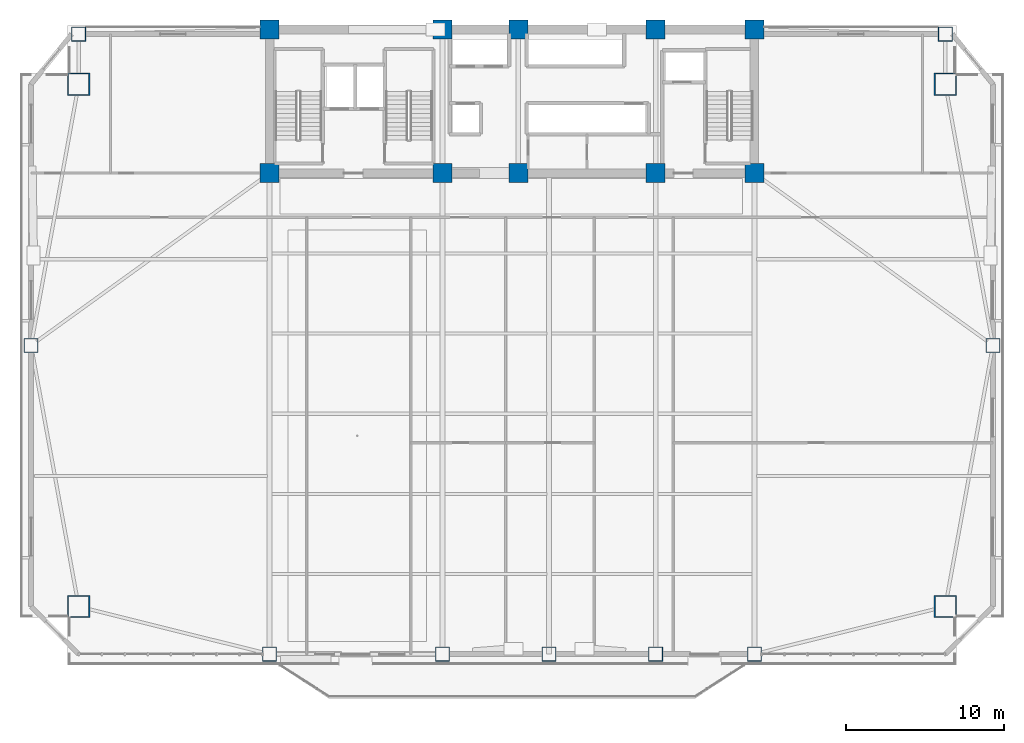
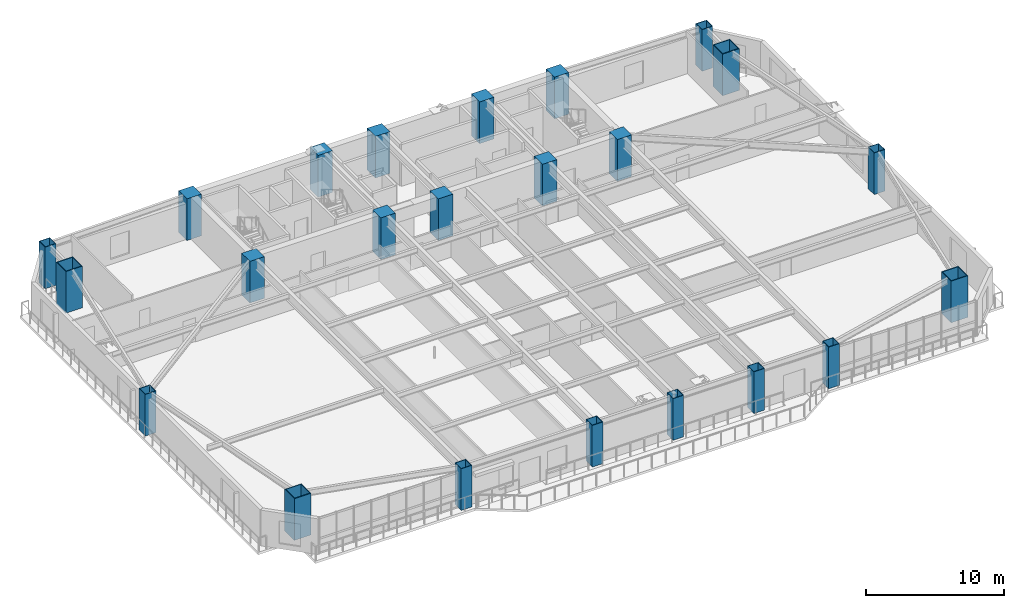
# One storey, part 1 of 15: 23 columns.
"""IFC4 building model written with IfcOpenShell, lengths in metres."""

from ifc_helpers import new_model, si_unit, direction, frame, origin, origin_2d, place, context, subcontext, project, spatial, rectangle, hollow_rectangle, extrude, source, transform, mapped, material, material_profile, profile_set, type_object, element, save


model = new_model("IFC4")

# Units and contexts
model_context = context("Model", 3, precision=1e-05, world=origin(), true_north=direction((0.0, 1.0)))
body_context = subcontext(model_context, "Body", "Model", "MODEL_VIEW")
ifc_project = project(units=[si_unit("LENGTHUNIT", "METRE"), si_unit("AREAUNIT", "SQUARE_METRE"), si_unit("VOLUMEUNIT", "CUBIC_METRE"), si_unit("PLANEANGLEUNIT", "RADIAN"), si_unit("MASSUNIT", "GRAM", prefix="KILO")], contexts=[model_context])

# Site, building, storey
site_placement = place(None, origin())
site = spatial("IfcSite", under=ifc_project, at=site_placement, CompositionType="ELEMENT")
building_placement = place(site_placement, origin())
building = spatial("IfcBuilding", under=site, at=building_placement, Name="Giltprow Tower", CompositionType="ELEMENT")
storey_placement = place(building_placement, frame((0.0, 0.0, 115.300048828125)))
storey = spatial("IfcBuildingStorey", under=building, at=storey_placement, Name="L28", CompositionType="ELEMENT", Elevation=115.300048828125)

# Columns
ifc_material_1 = material(Name="Concrete C60", Category="concrete")
ifc_material_profile_1 = material_profile(ifc_material_1, rectangle(XDim=1.199951171875, YDim=1.199951171875, at=origin_2d()), Name="RC 1200x1200")
ifc_profile_set_1 = profile_set([ifc_material_profile_1], Name="Concrete C60")
column_type_1 = type_object("IfcColumnType", Name="PIL-RC-1200-C60", PredefinedType="PILASTER", material=ifc_profile_set_1)
shared_shape_1 = source(origin(), body_context, "Body", "SweptSolid", [
    extrude(rectangle(XDim=1.199951171875, YDim=1.199951171875, at=origin_2d()), origin(), (0.0, 0.0, 1.0), 3.679931640625),
])
for number, where, z_axis, x_axis, name in (
    (1, (19.85009765625, 37.449951171875, 0.0), (0.0, 0.0, 1.0), (1.0, 0.0, 0.0), "L28 Core Boundary Pilaster 1-1"),
    (2, (19.85009765625, 46.550048828125, 0.0), (0.0, 0.0, 1.0), (1.0, 0.0, 0.0), "L28 Core Boundary Pilaster 1-2"),
    (3, (30.800048828125, 37.449951171875, 0.0), (0.0, 0.0, 1.0), (1.0, 0.0, 0.0), "L28 Core Boundary Pilaster 2-1"),
    (4, (30.800048828125, 46.550048828125, 0.0), (0.0, 0.0, 1.0), (1.0, 0.0, 0.0), "L28 Core Boundary Pilaster 2-2"),
    (5, (35.60009765625, 37.449951171875, 0.0), (0.0, 0.0, 1.0), (1.0, 0.0, 0.0), "L28 Core Boundary Pilaster 3-1"),
    (6, (35.60009765625, 46.550048828125, 0.0), (0.0, 0.0, 1.0), (1.0, 0.0, 0.0), "L28 Core Boundary Pilaster 3-2"),
    (7, (44.300048828125, 37.449951171875, 0.0), (0.0, 0.0, 1.0), (1.0, 0.0, 0.0), "L28 Core Boundary Pilaster 4-1"),
    (8, (44.300048828125, 46.550048828125, 0.0), (0.0, 0.0, 1.0), (1.0, 0.0, 0.0), "L28 Core Boundary Pilaster 4-2"),
    (9, (50.550048828125, 37.449951171875, 0.0), (0.0, 0.0, 1.0), (1.0, 0.0, 0.0), "L28 Core Boundary Pilaster 5-1"),
    (10, (50.550048828125, 46.550048828125, 0.0), (0.0, 0.0, 1.0), (1.0, 0.0, 0.0), "L28 Core Boundary Pilaster 5-2"),
):
    element("IfcColumn", number, at=place(storey_placement, frame(where, z_axis=z_axis, x_axis=x_axis)), inside=storey, type_object=column_type_1, Name=name, PredefinedType="PILASTER", context=body_context, shape_type="MappedRepresentation", body=[
        mapped(shared_shape_1, transform((0.0, 0.0, 0.0), x_axis=(1.0, 0.0, 0.0), y_axis=(0.0, 1.0, 0.0), z_axis=(0.0, 0.0, 1.0), scale=1.0)),
    ])
ifc_material_2 = material(Name="Structural steel Q420GJC", Category="steel")
ifc_material_profile_2 = material_profile(ifc_material_2, hollow_rectangle(XDim=1.39990234375, YDim=1.39990234375, WallThickness=0.06494140625, at=origin_2d()), Name="BOX 1400x1400x65")
ifc_profile_set_2 = profile_set([ifc_material_profile_2], Name="Structural steel Q420GJC")
column_type_2 = type_object("IfcColumnType", Name="COL-BOX-1400x1400x65", PredefinedType="COLUMN", material=ifc_profile_set_2)
shared_shape_2 = source(origin(), body_context, "Body", "SweptSolid", [
    extrude(hollow_rectangle(XDim=1.39990234375, YDim=1.39990234375, WallThickness=0.06494140625, at=origin_2d()), origin(), (0.0, 0.0, 1.0), 3.679931640625),
])
for number, where, z_axis, x_axis, name in (
    (11, (7.760986328125, 10.007080078125, 0.0), (0.0, 0.0, 1.0), (1.0, 0.0, 0.0), "L28 Mega-Column MC_SW"),
    (12, (62.638916015625, 10.007080078125, 0.0), (0.0, 0.0, 1.0), (1.0, 0.0, 0.0), "L28 Mega-Column MC_SE"),
    (13, (7.760986328125, 43.0830078125, 0.0), (0.0, 0.0, 1.0), (1.0, 0.0, 0.0), "L28 Mega-Column MC_NW"),
    (14, (62.638916015625, 43.0830078125, 0.0), (0.0, 0.0, 1.0), (1.0, 0.0, 0.0), "L28 Mega-Column MC_NE"),
):
    element("IfcColumn", number, at=place(storey_placement, frame(where, z_axis=z_axis, x_axis=x_axis)), inside=storey, type_object=column_type_2, Name=name, PredefinedType="COLUMN", context=body_context, shape_type="MappedRepresentation", body=[
        mapped(shared_shape_2, transform((0.0, 0.0, 0.0), x_axis=(1.0, 0.0, 0.0), y_axis=(0.0, 1.0, 0.0), z_axis=(0.0, 0.0, 1.0), scale=1.0)),
    ])
ifc_material_profile_3 = material_profile(ifc_material_2, hollow_rectangle(XDim=0.89990234375, YDim=0.89990234375, WallThickness=0.0400390625, at=origin_2d()), Name="BOX 900x900x40")
ifc_profile_set_3 = profile_set([ifc_material_profile_3], Name="Structural steel Q420GJC")
column_type_3 = type_object("IfcColumnType", Name="COL-BOX-900x900x40", PredefinedType="COLUMN", material=ifc_profile_set_3)
shared_shape_3 = source(origin(), body_context, "Body", "SweptSolid", [
    extrude(hollow_rectangle(XDim=0.89990234375, YDim=0.89990234375, WallThickness=0.0400390625, at=origin_2d()), origin(), (0.0, 0.0, 1.0), 3.679931640625),
])
for number, where, z_axis, x_axis, name in (
    (15, (19.85009765625, 6.989990234375, 0.0), (0.0, 0.0, 1.0), (1.0, 0.0, 0.0), "L28 Perimeter Column S1"),
    (16, (30.800048828125, 6.989990234375, 0.0), (0.0, 0.0, 1.0), (1.0, 0.0, 0.0), "L28 Perimeter Column S2"),
    (17, (37.550048828125, 6.989990234375, 0.0), (0.0, 0.0, 1.0), (1.0, 0.0, 0.0), "L28 Perimeter Column S_MID"),
    (18, (44.300048828125, 6.989990234375, 0.0), (0.0, 0.0, 1.0), (1.0, 0.0, 0.0), "L28 Perimeter Column S3"),
    (19, (50.550048828125, 6.989990234375, 0.0), (0.0, 0.0, 1.0), (1.0, 0.0, 0.0), "L28 Perimeter Column S4"),
    (20, (4.743896484375, 26.544921875, 0.0), (0.0, 0.0, 1.0), (1.0, 0.0, 0.0), "L28 Perimeter Column W_MID"),
    (21, (65.656005859375, 26.544921875, 0.0), (0.0, 0.0, 1.0), (1.0, 0.0, 0.0), "L28 Perimeter Column E_MID"),
    (22, (7.760986328125, 46.25, 0.0), (0.0, 0.0, 1.0), (1.0, 0.0, 0.0), "L28 Perimeter Column N_W"),
    (23, (62.638916015625, 46.25, 0.0), (0.0, 0.0, 1.0), (1.0, 0.0, 0.0), "L28 Perimeter Column N_E"),
):
    element("IfcColumn", number, at=place(storey_placement, frame(where, z_axis=z_axis, x_axis=x_axis)), inside=storey, type_object=column_type_3, Name=name, PredefinedType="COLUMN", context=body_context, shape_type="MappedRepresentation", body=[
        mapped(shared_shape_3, transform((0.0, 0.0, 0.0), x_axis=(1.0, 0.0, 0.0), y_axis=(0.0, 1.0, 0.0), z_axis=(0.0, 0.0, 1.0), scale=1.0)),
    ])

save(model, "model.ifc")
